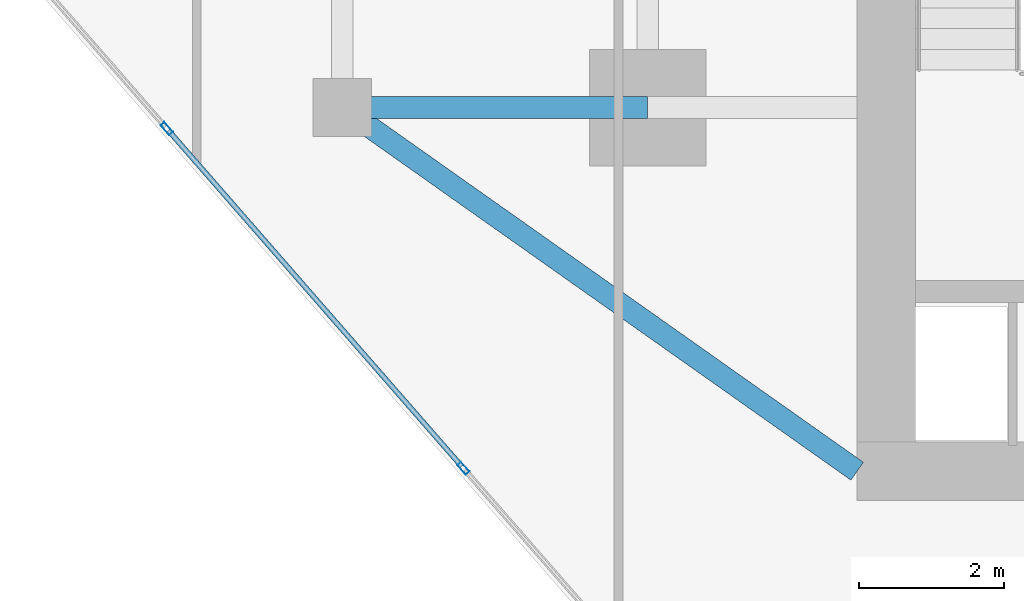
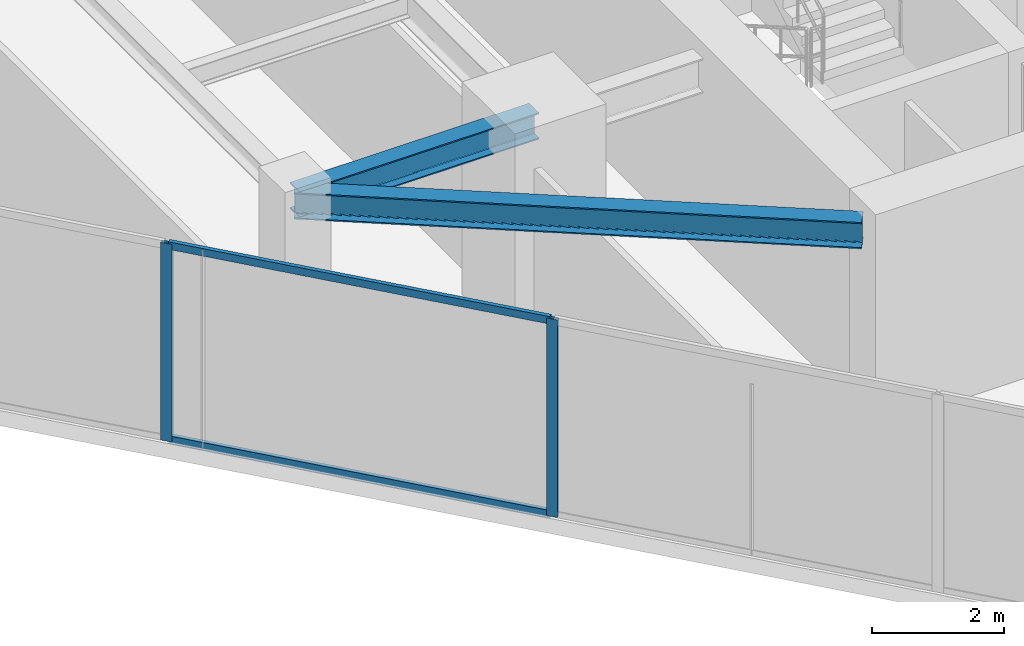
# One storey, part 2 of 24: 4 members, 2 beams, 1 element without a shape of its own.
"""IFC4 building model written with IfcOpenShell, lengths in metres."""

from ifc_helpers import new_model, si_unit, direction, frame, origin, origin_2d, place, context, subcontext, project, spatial, hollow_rectangle, i_section, extrude, source, transform, mapped, material, material_profile, profile_set, type_object, type_shapes, element, aggregate, save


model = new_model("IFC4")

# Units and contexts
model_context = context("Model", 3, precision=1e-05, world=origin(), true_north=direction((0.0, 1.0)))
body_context = subcontext(model_context, "Body", "Model", "MODEL_VIEW")
ifc_project = project(units=[si_unit("LENGTHUNIT", "METRE"), si_unit("AREAUNIT", "SQUARE_METRE"), si_unit("VOLUMEUNIT", "CUBIC_METRE"), si_unit("PLANEANGLEUNIT", "RADIAN"), si_unit("MASSUNIT", "GRAM", prefix="KILO")], contexts=[model_context])

# Site, building, storey
site_placement = place(None, origin())
site = spatial("IfcSite", under=ifc_project, at=site_placement, CompositionType="ELEMENT")
building_placement = place(site_placement, origin())
building = spatial("IfcBuilding", under=site, at=building_placement, Name="Krantzveldt Concourse Tower", CompositionType="ELEMENT")
storey_placement = place(building_placement, frame((0.0, 0.0, 254.699951171875)))
storey = spatial("IfcBuildingStorey", under=building, at=storey_placement, Name="L62", CompositionType="ELEMENT", Elevation=254.699951171875)

# Beams
ifc_material_1 = material(Name="Steel S355JR", Category="steel")
ifc_material_profile_1 = material_profile(ifc_material_1, i_section(OverallWidth=0.300048828125, OverallDepth=0.489990234375, WebThickness=0.011962890625, FlangeThickness=0.02294921875, FilletRadius=0.027099609375, at=origin_2d()), Name="Steel S355JR", Category="steel")
ifc_profile_set_1 = profile_set([ifc_material_profile_1], Name="Steel S355JR - HEA 500")
beam_type = type_object("IfcBeamType", Name="BM-B-HEA500", PredefinedType="BEAM", material=ifc_profile_set_1)
shared_shape_1 = source(origin(), body_context, "Body", "SweptSolid", [
    extrude(i_section(OverallWidth=0.300048828125, OverallDepth=0.489990234375, WebThickness=0.011962890625, FlangeThickness=0.02294921875, FilletRadius=0.027099609375, at=origin_2d()), origin(), (0.0, 0.0, 1.0), 4.199951171875),
])
beam_1_placement = place(storey_placement, frame((21.0, 15.89990234375, 3.425048828125), z_axis=(1.0, 0.0, 0.0), x_axis=(0.0, 1.0, 0.0)))
element("IfcBeam", 1, at=beam_1_placement, inside=storey, type_object=beam_type, Name="L62 Tower Girder BR-RL1", PredefinedType="BEAM", context=body_context, shape_type="MappedRepresentation", body=[
    mapped(shared_shape_1, transform((0.0, 0.0, 0.0), x_axis=(1.0, 0.0, 0.0), y_axis=(0.0, 1.0, 0.0), z_axis=(0.0, 0.0, 1.0), scale=1.0)),
])
shared_shape_2 = source(origin(), body_context, "Body", "SweptSolid", [
    extrude(i_section(OverallWidth=0.300048828125, OverallDepth=0.489990234375, WebThickness=0.011962890625, FlangeThickness=0.02294921875, FilletRadius=0.027099609375, at=origin_2d()), origin(), (0.0, 0.0, 1.0), 8.667724609375),
])
type_shapes(beam_type, [shared_shape_1, shared_shape_2])
beam_2_placement = place(storey_placement, frame((21.0, 15.89990234375, 3.425048828125), z_axis=(0.81684294656, -0.576860122261, 0.0), x_axis=(0.576860122261, 0.81684294656, 0.0)))
element("IfcBeam", 2, at=beam_2_placement, inside=storey, type_object=beam_type, Name="L62 Tower Girder BR-CSW", PredefinedType="BEAM", context=body_context, shape_type="MappedRepresentation", body=[
    mapped(shared_shape_2, transform((0.0, 0.0, 0.0), x_axis=(1.0, 0.0, 0.0), y_axis=(0.0, 1.0, 0.0), z_axis=(0.0, 0.0, 1.0), scale=1.0)),
])

# Curtain wall, members
ifc_material_2 = material(Name="Anodised aluminium 6063-T6", Category="aluminium")
curtain_wall_type = type_object("IfcCurtainWallType", Name="CW3", PredefinedType="USERDEFINED", material=ifc_material_2)
curtain_wall_placement = place(storey_placement, origin())
curtain_wall = element("IfcCurtainWall", 3, at=curtain_wall_placement, inside=storey, type_object=curtain_wall_type, Name="CW-L62-F04", ObjectType="UNITISED CURTAIN WALL", PredefinedType="USERDEFINED")
ifc_material_profile_2 = material_profile(ifc_material_2, hollow_rectangle(XDim=0.070068359375, YDim=0.179931640625, WallThickness=0.0048828125, at=origin_2d()), Name="Anodised aluminium 6063-T6", Category="aluminium")
ifc_profile_set_2 = profile_set([ifc_material_profile_2], Name="Anodised aluminium 6063-T6 - ALU-MULL 180x70x5")
member_type_1 = type_object("IfcMemberType", Name="CW-MUL-180", PredefinedType="MULLION", material=ifc_profile_set_2)
shared_shape_3 = source(origin(), body_context, "Body", "SweptSolid", [
    extrude(hollow_rectangle(XDim=0.070068359375, YDim=0.179931640625, WallThickness=0.0048828125, at=origin_2d()), origin(), (0.0, 0.0, 1.0), 3.670166015625),
])
type_shapes(member_type_1, [shared_shape_3])
member_1_placement = place(storey_placement, frame((18.586669921875, 15.611328125, 0.0), z_axis=(0.0, 0.0, 1.0), x_axis=(0.753276529034, 0.657703938567, 0.0)))
member_1 = element("IfcMember", 4, at=member_1_placement, type_object=member_type_1, Name="CW-Z34 mullion 3", PredefinedType="MULLION", context=body_context, shape_type="MappedRepresentation", body=[
    mapped(shared_shape_3, transform((0.0, 0.0, 0.0), x_axis=(1.0, 0.0, 0.0), y_axis=(0.0, 1.0, 0.0), z_axis=(0.0, 0.0, 1.0), scale=1.0)),
])
member_2_placement = place(storey_placement, frame((22.66455078125, 10.941162109375, 0.0), z_axis=(0.0, 0.0, 1.0), x_axis=(0.753276529034, 0.657703938567, 0.0)))
member_2 = element("IfcMember", 5, at=member_2_placement, type_object=member_type_1, Name="CW-Z34 mullion 4", PredefinedType="MULLION", context=body_context, shape_type="MappedRepresentation", body=[
    mapped(shared_shape_3, transform((0.0, 0.0, 0.0), x_axis=(1.0, 0.0, 0.0), y_axis=(0.0, 1.0, 0.0), z_axis=(0.0, 0.0, 1.0), scale=1.0)),
])
ifc_material_profile_3 = material_profile(ifc_material_2, hollow_rectangle(XDim=0.070068359375, YDim=0.139892578125, WallThickness=0.0048828125, at=origin_2d()), Name="Anodised aluminium 6063-T6", Category="aluminium")
ifc_profile_set_3 = profile_set([ifc_material_profile_3], Name="Anodised aluminium 6063-T6 - ALU-TRAN 140x70x5")
member_type_2 = type_object("IfcMemberType", Name="CW-TRN-150", PredefinedType="USERDEFINED", material=ifc_profile_set_3)
shared_shape_4 = source(origin(), body_context, "Body", "SweptSolid", [
    extrude(hollow_rectangle(XDim=0.070068359375, YDim=0.139892578125, WallThickness=0.0048828125, at=origin_2d()), origin(), (0.0, 0.0, 1.0), 6.1298828125),
])
type_shapes(member_type_2, [shared_shape_4])
member_3_placement = place(storey_placement, frame((18.60986328125, 15.5849609375, 0.03515625), z_axis=(0.657717559408, -0.753264636132, 0.0), x_axis=(0.753264636132, 0.657717559408, 0.0)))
member_3 = element("IfcMember", 6, at=member_3_placement, type_object=member_type_2, Name="CW-Z34 transom 3.1", ObjectType="TRANSOM", PredefinedType="USERDEFINED", context=body_context, shape_type="MappedRepresentation", body=[
    mapped(shared_shape_4, transform((0.0, 0.0, 0.0), x_axis=(1.0, 0.0, 0.0), y_axis=(0.0, 1.0, 0.0), z_axis=(0.0, 0.0, 1.0), scale=1.0)),
])
member_4_placement = place(storey_placement, frame((18.60986328125, 15.5849609375, 3.635009765625), z_axis=(0.657717559408, -0.753264636132, 0.0), x_axis=(0.753264636132, 0.657717559408, 0.0)))
member_4 = element("IfcMember", 7, at=member_4_placement, type_object=member_type_2, Name="CW-Z34 transom 3.2", ObjectType="TRANSOM", PredefinedType="USERDEFINED", context=body_context, shape_type="MappedRepresentation", body=[
    mapped(shared_shape_4, transform((0.0, 0.0, 0.0), x_axis=(1.0, 0.0, 0.0), y_axis=(0.0, 1.0, 0.0), z_axis=(0.0, 0.0, 1.0), scale=1.0)),
])
aggregate(curtain_wall, [member_1, member_2, member_3, member_4])

save(model, "model.ifc")
